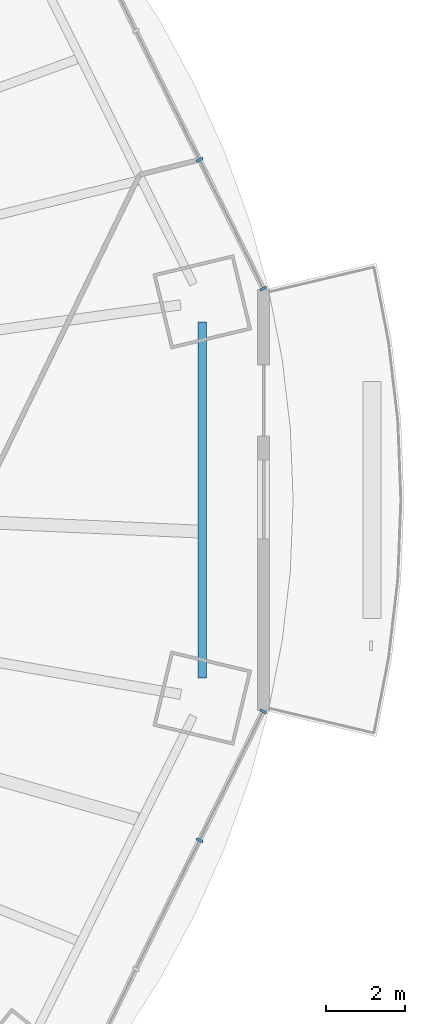
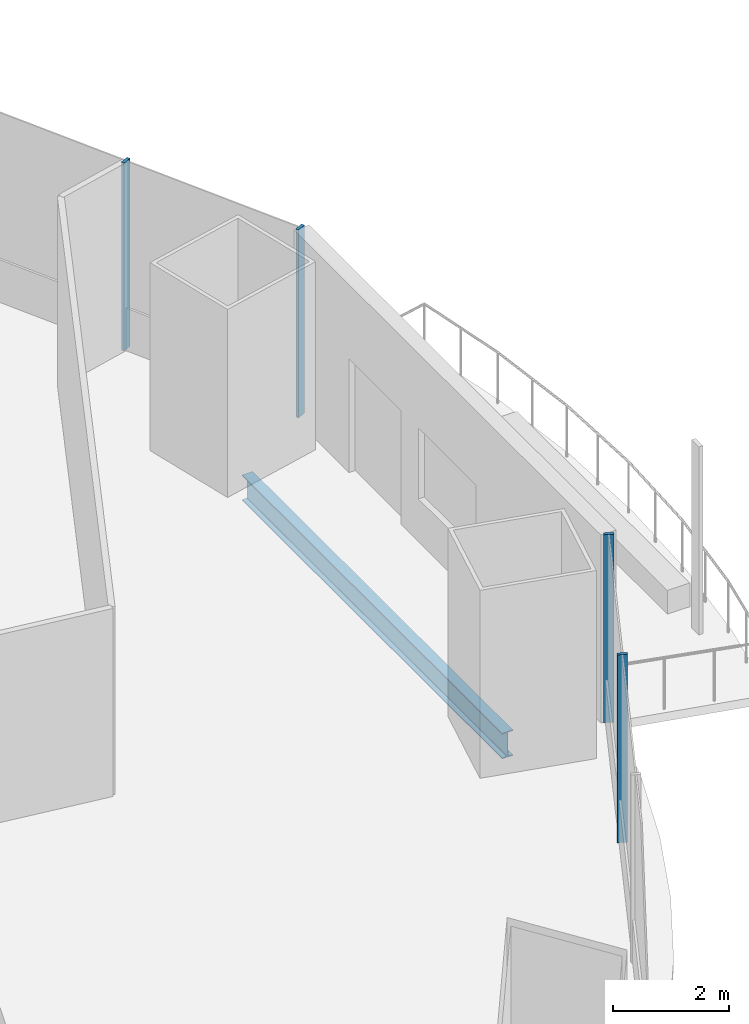
# One storey, part 9 of 20: 4 members, 1 beam, 2 elements without a shape of their own.
"""IFC4 building model written with IfcOpenShell, lengths in metres."""

from ifc_helpers import new_model, si_unit, direction, frame, origin, origin_2d, place, context, subcontext, project, spatial, rectangle, i_section, extrude, material, material_profile, profile_set, type_object, element, aggregate, save


model = new_model("IFC4")

# Units and contexts
model_context = context("Model", 3, precision=1e-05, world=origin(), true_north=direction((0.0, 1.0)))
body_context = subcontext(model_context, "Body", "Model", "MODEL_VIEW")
ifc_project = project(units=[si_unit("LENGTHUNIT", "METRE"), si_unit("AREAUNIT", "SQUARE_METRE"), si_unit("VOLUMEUNIT", "CUBIC_METRE"), si_unit("PLANEANGLEUNIT", "RADIAN"), si_unit("MASSUNIT", "GRAM", prefix="KILO")], contexts=[model_context])

# Site, building, storey
site_placement = place(None, origin())
site = spatial("IfcSite", under=ifc_project, at=site_placement, CompositionType="ELEMENT")
building_placement = place(site_placement, origin())
building = spatial("IfcBuilding", under=site, at=building_placement, Name="Marenthal Gate Tower", CompositionType="ELEMENT")
storey_placement = place(building_placement, frame((0.0, 0.0, 181.800048828125)))
storey = spatial("IfcBuildingStorey", under=building, at=storey_placement, Name="L39", CompositionType="ELEMENT", Elevation=181.800048828125)

# Curtain wall, members
ifc_material_1 = material(Name="Aluminium and glass", Category="aluminium")
curtain_wall_type = type_object("IfcCurtainWallType", Name="Curtain wall typical mid", PredefinedType="NOTDEFINED", material=ifc_material_1)
curtain_wall_1_placement = place(storey_placement, origin())
curtain_wall_1 = element("IfcCurtainWall", 1, at=curtain_wall_1_placement, inside=storey, type_object=curtain_wall_type, Name="Curtain wall L39 bay 1", PredefinedType="NOTDEFINED")
ifc_material_2 = material(Name="Aluminium", Category="aluminium")
ifc_material_profile_1 = material_profile(ifc_material_2, rectangle(XDim=0.179931640625, YDim=0.06005859375, at=origin_2d()), Name="60x180 aluminium mullion")
ifc_profile_set_1 = profile_set([ifc_material_profile_1], Name="Aluminium")
member_type = type_object("IfcMemberType", Name="Mullion 60x180 typical mid", PredefinedType="MULLION", material=ifc_profile_set_1)
member_1_placement = place(storey_placement, frame((33.6201171875, 4.73828125, 0.0), z_axis=(0.0, 0.0, 1.0), x_axis=(-0.89664343149, -0.442753381428, 0.0)))
member_1 = element("IfcMember", 2, at=member_1_placement, type_object=member_type, Name="Mullion L39 bay 1.1", PredefinedType="MULLION", context=body_context, shape_type="SweptSolid", body=[
    extrude(rectangle(XDim=0.179931640625, YDim=0.06005859375, at=origin_2d()), origin(), (0.0, 0.0, 1.0), 3.969970703125),
])
member_2_placement = place(storey_placement, frame((32.013427734375, 7.991943359375, 0.0), z_axis=(0.0, 0.0, 1.0), x_axis=(-0.89664343149, -0.442753381428, 0.0)))
member_2 = element("IfcMember", 3, at=member_2_placement, type_object=member_type, Name="Mullion L39 bay 1.2", PredefinedType="MULLION", context=body_context, shape_type="SweptSolid", body=[
    extrude(rectangle(XDim=0.179931640625, YDim=0.06005859375, at=origin_2d()), origin(), (0.0, 0.0, 1.0), 3.969970703125),
])
aggregate(curtain_wall_1, [member_1, member_2])

curtain_wall_2_placement = place(storey_placement, origin())
curtain_wall_2 = element("IfcCurtainWall", 4, at=curtain_wall_2_placement, inside=storey, type_object=curtain_wall_type, Name="Curtain wall L39 bay 15", PredefinedType="NOTDEFINED")
member_3_placement = place(storey_placement, frame((32.013427734375, -9.19189453125, 0.0), z_axis=(0.0, 0.0, 1.0), x_axis=(-0.89664343149, 0.442753381428, 0.0)))
member_3 = element("IfcMember", 5, at=member_3_placement, type_object=member_type, Name="Mullion L39 bay 15.3", PredefinedType="MULLION", context=body_context, shape_type="SweptSolid", body=[
    extrude(rectangle(XDim=0.179931640625, YDim=0.06005859375, at=origin_2d()), origin(), (0.0, 0.0, 1.0), 3.969970703125),
])
member_4_placement = place(storey_placement, frame((33.6201171875, -5.9384765625, 0.0), z_axis=(0.0, 0.0, 1.0), x_axis=(-0.89664343149, 0.442753381428, 0.0)))
member_4 = element("IfcMember", 6, at=member_4_placement, type_object=member_type, Name="Mullion L39 bay 15.4", PredefinedType="MULLION", context=body_context, shape_type="SweptSolid", body=[
    extrude(rectangle(XDim=0.179931640625, YDim=0.06005859375, at=origin_2d()), origin(), (0.0, 0.0, 1.0), 3.969970703125),
])
aggregate(curtain_wall_2, [member_3, member_4])

# Beam
ifc_material_3 = material(Name="Steel S355", Category="steel")
ifc_material_profile_2 = material_profile(ifc_material_3, i_section(OverallWidth=0.2119140625, OverallDepth=0.5439453125, WebThickness=0.01318359375, FlangeThickness=0.021240234375, FilletRadius=0.0126953125, at=origin_2d()), Name="W530X123")
ifc_profile_set_2 = profile_set([ifc_material_profile_2], Name="Steel S355")
beam_type = type_object("IfcBeamType", Name="W530X123 beam", PredefinedType="BEAM", material=ifc_profile_set_2)
beam_placement = place(storey_placement, frame((32.083740234375, -5.1005859375, -0.4521484375), z_axis=(0.0, 1.0, 0.0), x_axis=(-1.0, 0.0, 0.0)))
element("IfcBeam", 7, at=beam_placement, inside=storey, type_object=beam_type, Name="BM-L39-56", PredefinedType="BEAM", context=body_context, shape_type="SweptSolid", body=[
    extrude(i_section(OverallWidth=0.2119140625, OverallDepth=0.5439453125, WebThickness=0.01318359375, FlangeThickness=0.021240234375, FilletRadius=0.0126953125, at=origin_2d()), origin(), (0.0, 0.0, 1.0), 9.001220703125),
])

save(model, "model.ifc")
